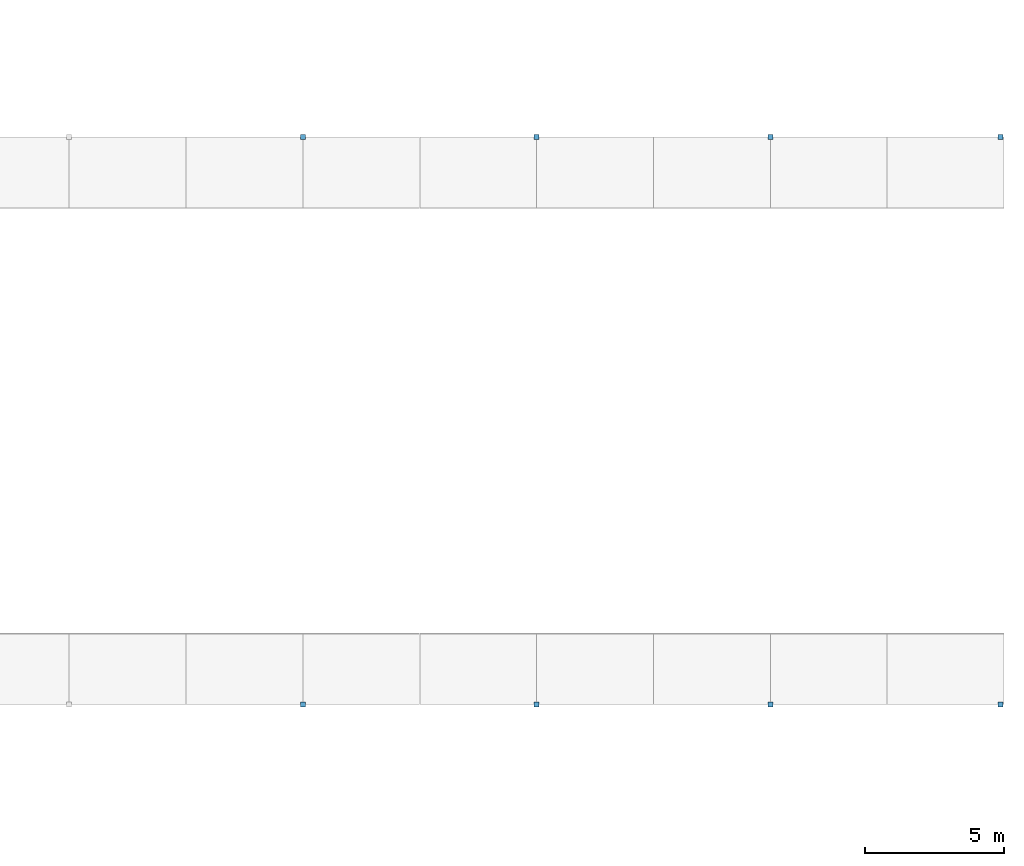
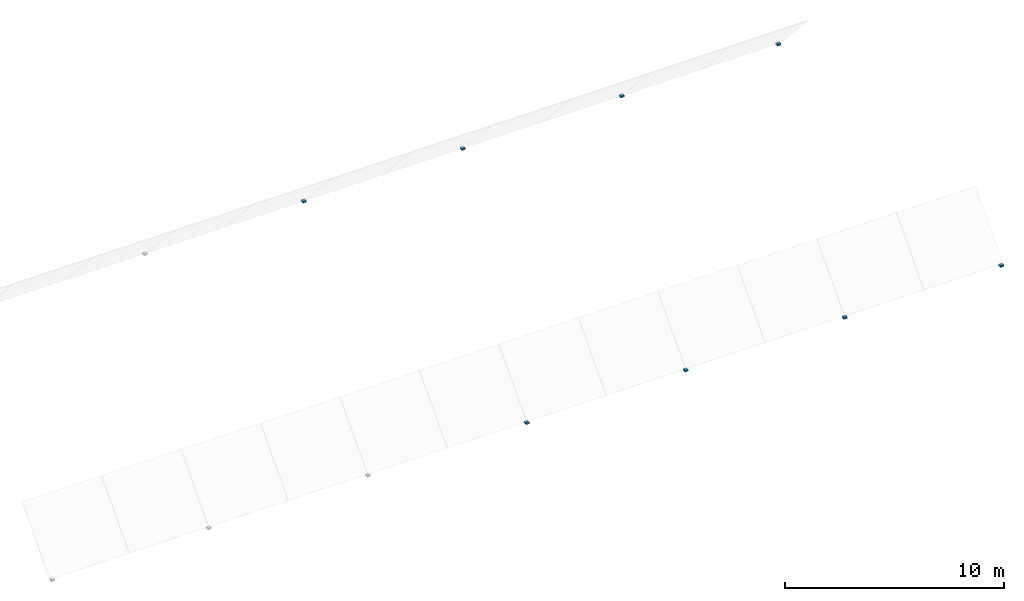
# One storey, part 82 of 122: 8 discrete accessories.
"""IFC4 building model written with IfcOpenShell, lengths in metres."""

from ifc_helpers import new_model, si_unit, direction, frame, origin, origin_2d, place, context, subcontext, project, spatial, rectangle, extrude, material, type_object, element, save


model = new_model("IFC4")

# Units and contexts
model_context = context("Model", 3, precision=1e-05, world=origin(), true_north=direction((0.0, 1.0)))
body_context = subcontext(model_context, "Body", "Model", "MODEL_VIEW")
ifc_project = project(units=[si_unit("LENGTHUNIT", "METRE"), si_unit("AREAUNIT", "SQUARE_METRE"), si_unit("VOLUMEUNIT", "CUBIC_METRE"), si_unit("PLANEANGLEUNIT", "RADIAN"), si_unit("MASSUNIT", "GRAM", prefix="KILO")], contexts=[model_context])

# Site, building, storey
site_placement = place(None, origin())
site = spatial("IfcSite", under=ifc_project, at=site_placement, CompositionType="ELEMENT")
building_placement = place(site_placement, origin())
building = spatial("IfcBuilding", under=site, at=building_placement, Name="Telukmera Botanical Conservatory", CompositionType="ELEMENT")
storey_placement = place(building_placement, frame((0.0, 0.0, 10.199951171875)))
storey = spatial("IfcBuildingStorey", under=building, at=storey_placement, Name="L02", CompositionType="ELEMENT", Elevation=10.199951171875)

# Discrete accessories
ifc_material = material(Name="Steel S355", Category="steel")
discrete_accessory_type = type_object("IfcDiscreteAccessoryType", Name="Structural Steel Gridshell Glazing Shoe Bracket", PredefinedType="BRACKET", material=ifc_material)
for number, where, z_axis, x_axis, name in (
    (1, (142.800048828125, 22.699951171875, 3.365234375), (0.0, 0.0, 1.0), (1.0, 0.0, 0.0), "Conservatory Node Glazing Spider Bracket 06-02"),
    (2, (142.800048828125, 43.10009765625, 3.365234375), (0.0, 0.0, 1.0), (1.0, 0.0, 0.0), "Conservatory Node Glazing Spider Bracket 06-10"),
    (3, (151.199951171875, 22.699951171875, 3.365234375), (0.0, 0.0, 1.0), (1.0, 0.0, 0.0), "Conservatory Node Glazing Spider Bracket 08-02"),
    (4, (151.199951171875, 43.10009765625, 3.365234375), (0.0, 0.0, 1.0), (1.0, 0.0, 0.0), "Conservatory Node Glazing Spider Bracket 08-10"),
    (5, (159.60009765625, 22.699951171875, 3.365234375), (0.0, 0.0, 1.0), (1.0, 0.0, 0.0), "Conservatory Node Glazing Spider Bracket 10-02"),
    (6, (159.60009765625, 43.10009765625, 3.365234375), (0.0, 0.0, 1.0), (1.0, 0.0, 0.0), "Conservatory Node Glazing Spider Bracket 10-10"),
    (7, (167.8798828125, 22.699951171875, 3.365234375), (0.0, 0.0, 1.0), (1.0, 0.0, 0.0), "Conservatory Node Glazing Spider Bracket 12-02"),
    (8, (167.8798828125, 43.10009765625, 3.365234375), (0.0, 0.0, 1.0), (1.0, 0.0, 0.0), "Conservatory Node Glazing Spider Bracket 12-10"),
):
    element("IfcDiscreteAccessory", number, at=place(storey_placement, frame(where, z_axis=z_axis, x_axis=x_axis)), inside=storey, type_object=discrete_accessory_type, Name=name, PredefinedType="BRACKET", context=body_context, shape_type="SweptSolid", body=[
        extrude(rectangle(XDim=0.179931640625, YDim=0.179931640625, at=origin_2d()), origin(), (0.0, 0.0, 1.0), 0.094970703125),
    ])

save(model, "model.ifc")
